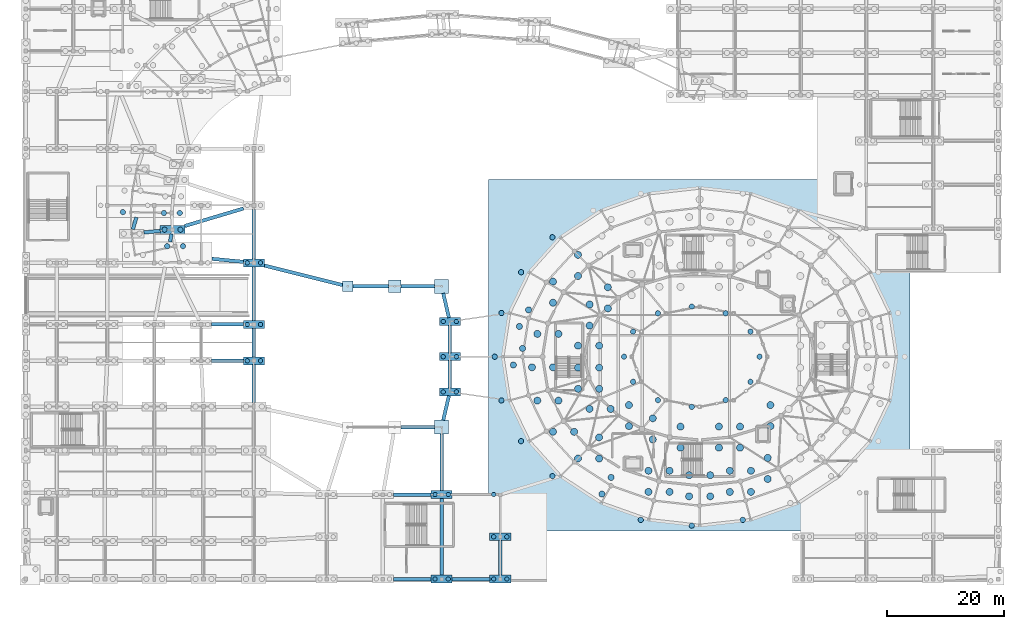
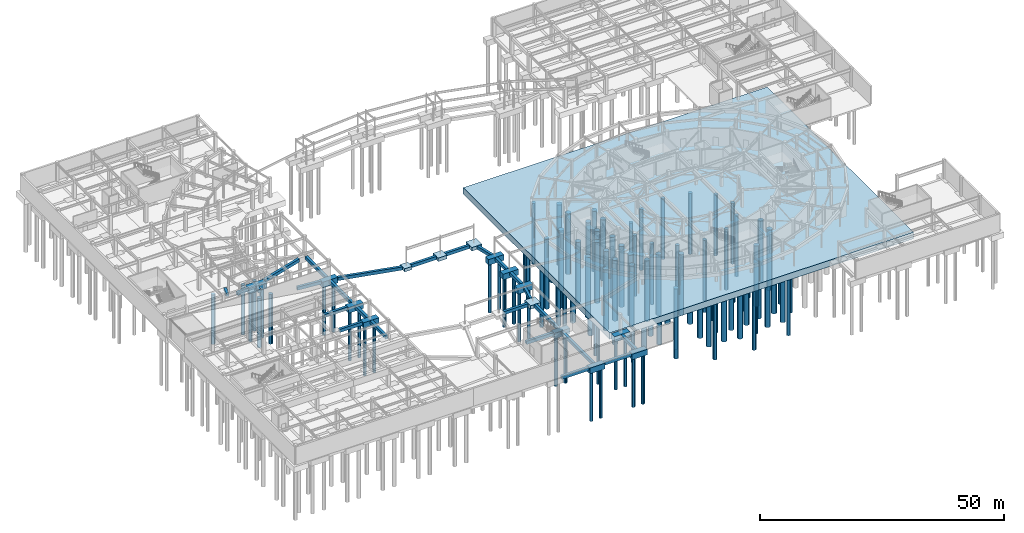
# One storey, part 3 of 68: 109 piles, 41 footings.
"""IFC4 building model written with IfcOpenShell, lengths in metres."""

from ifc_helpers import new_model, si_unit, direction, frame, origin, origin_2d, place, context, subcontext, project, spatial, rectangle, circle, extrude, material, layer, layer_set, material_profile, profile_set, type_object, element, save


model = new_model("IFC4")

# Units and contexts
model_context = context("Model", 3, precision=1e-05, world=origin(), true_north=direction((0.0, 1.0)))
body_context = subcontext(model_context, "Body", "Model", "MODEL_VIEW")
ifc_project = project(units=[si_unit("LENGTHUNIT", "METRE"), si_unit("AREAUNIT", "SQUARE_METRE"), si_unit("VOLUMEUNIT", "CUBIC_METRE"), si_unit("PLANEANGLEUNIT", "RADIAN"), si_unit("MASSUNIT", "GRAM", prefix="KILO")], contexts=[model_context])

# Site, building, storey
site_placement = place(None, origin())
site = spatial("IfcSite", under=ifc_project, at=site_placement, CompositionType="ELEMENT")
building_placement = place(site_placement, origin())
building = spatial("IfcBuilding", under=site, at=building_placement, Name="Cinderbank Siding Concert Hall", CompositionType="ELEMENT")
storey_placement = place(building_placement, frame((0.0, 0.0, -4.800048828125)))
storey = spatial("IfcBuildingStorey", under=building, at=storey_placement, Name="B1", CompositionType="ELEMENT", Elevation=-4.800048828125)

# Piles
ifc_material = material(Name="Reinforced concrete AS 3600 N40 (40 MPa)", Category="concrete")
ifc_material_profile_1 = material_profile(ifc_material, circle(Radius=0.52490234375, at=origin_2d()), Name="PILE-1050DIA", Category="LoadBearing")
ifc_profile_set_1 = profile_set([ifc_material_profile_1], Name="Reinforced concrete AS 3600 N40 (40 MPa)")
pile_type_1 = type_object("IfcPileType", Name="BP-1050 Bored Pile 1050mm", PredefinedType="BORED", material=ifc_profile_set_1)
for number, where, z_axis, x_axis, name in (
    (1, (91.25390625, 49.156982421875, -1.5), (0.0, 0.0, -1.0), (1.0, 0.0, 0.0), "Bored Pile BP-1050 #96"),
    (2, (92.8291015625, 51.990966796875, -1.5), (0.0, 0.0, -1.0), (1.0, 0.0, 0.0), "Bored Pile BP-1050 #97"),
    (3, (90.22509765625, 42.5830078125, -1.5), (0.0, 0.0, -1.0), (1.0, 0.0, 0.0), "Bored Pile BP-1050 #101"),
    (4, (91.800048828125, 45.4169921875, -1.5), (0.0, 0.0, -1.0), (1.0, 0.0, 0.0), "Bored Pile BP-1050 #102"),
    (5, (105.324951171875, 20.5849609375, -1.5), (0.0, 0.0, -1.0), (1.0, 0.0, 0.0), "Bored Pile BP-1050 #124"),
    (6, (106.89990234375, 23.4208984375, -1.5), (0.0, 0.0, -1.0), (1.0, 0.0, 0.0), "Bored Pile BP-1050 #125"),
):
    element("IfcPile", number, at=place(storey_placement, frame(where, z_axis=z_axis, x_axis=x_axis)), inside=storey, type_object=pile_type_1, Name=name, PredefinedType="BORED", context=body_context, shape_type="SweptSolid", body=[
        extrude(circle(Radius=0.52490234375, at=origin_2d()), origin(), (0.0, 0.0, 1.0), 15.199951171875),
    ])
ifc_material_profile_2 = material_profile(ifc_material, circle(Radius=0.60009765625, at=origin_2d()), Name="PILE-1200DIA", Category="LoadBearing")
ifc_profile_set_2 = profile_set([ifc_material_profile_2], Name="Reinforced concrete AS 3600 N40 (40 MPa)")
pile_type_2 = type_object("IfcPileType", Name="BP-1200 Bored Pile 1200mm", PredefinedType="BORED", material=ifc_profile_set_2)
for number, where, z_axis, x_axis, name in (
    (7, (134.05908203125, 32.158935546875, -1.5), (0.0, 0.0, -1.0), (1.0, 0.0, 0.0), "Bored Pile BP-1200 #34"),
    (8, (134.05908203125, 35.759033203125, -1.5), (0.0, 0.0, -1.0), (1.0, 0.0, 0.0), "Bored Pile BP-1200 #35"),
    (9, (133.60009765625, 23.14697265625, -1.5), (0.0, 0.0, -1.0), (1.0, 0.0, 0.0), "Bored Pile BP-1200 #40"),
    (10, (133.60009765625, 26.7470703125, -1.5), (0.0, 0.0, -1.0), (1.0, 0.0, 0.0), "Bored Pile BP-1200 #42"),
    (11, (106.341064453125, 52.240966796875, -1.5), (0.0, 0.0, -1.0), (1.0, 0.0, 0.0), "Bored Pile BP-1200 #81"),
    (12, (106.341064453125, 55.841064453125, -1.5), (0.0, 0.0, -1.0), (1.0, 0.0, 0.0), "Bored Pile BP-1200 #82"),
    (13, (101.2490234375, 57.756103515625, -1.5), (0.0, 0.0, -1.0), (1.0, 0.0, 0.0), "Bored Pile BP-1200 #83"),
    (14, (101.2490234375, 61.35595703125, -1.5), (0.0, 0.0, -1.0), (1.0, 0.0, 0.0), "Bored Pile BP-1200 #84"),
    (15, (103.22607421875, 49.300048828125, -1.5), (0.0, 0.0, -1.0), (1.0, 0.0, 0.0), "Bored Pile BP-1200 #87"),
    (16, (103.22607421875, 52.89990234375, -1.5), (0.0, 0.0, -1.0), (1.0, 0.0, 0.0), "Bored Pile BP-1200 #88"),
    (17, (96.989990234375, 53.199951171875, -1.5), (0.0, 0.0, -1.0), (1.0, 0.0, 0.0), "Bored Pile BP-1200 #89"),
    (18, (96.989990234375, 56.800048828125, -1.5), (0.0, 0.0, -1.0), (1.0, 0.0, 0.0), "Bored Pile BP-1200 #90"),
    (19, (101.26806640625, 45.875, -1.5), (0.0, 0.0, -1.0), (1.0, 0.0, 0.0), "Bored Pile BP-1200 #92"),
    (20, (104.867919921875, 45.875, -1.5), (0.0, 0.0, -1.0), (1.0, 0.0, 0.0), "Bored Pile BP-1200 #93"),
    (21, (94.31298828125, 47.89404296875, -1.5), (0.0, 0.0, -1.0), (1.0, 0.0, 0.0), "Bored Pile BP-1200 #94"),
    (22, (97.9130859375, 47.89404296875, -1.5), (0.0, 0.0, -1.0), (1.0, 0.0, 0.0), "Bored Pile BP-1200 #95"),
    (23, (93.39990234375, 42.199951171875, -1.5), (0.0, 0.0, -1.0), (1.0, 0.0, 0.0), "Bored Pile BP-1200 #99"),
    (24, (97.0, 42.199951171875, -1.5), (0.0, 0.0, -1.0), (1.0, 0.0, 0.0), "Bored Pile BP-1200 #100"),
    (25, (101.26806640625, 38.52490234375, -1.5), (0.0, 0.0, -1.0), (1.0, 0.0, 0.0), "Bored Pile BP-1200 #104"),
    (26, (104.867919921875, 38.52490234375, -1.5), (0.0, 0.0, -1.0), (1.0, 0.0, 0.0), "Bored Pile BP-1200 #105"),
    (27, (101.26806640625, 42.125, -1.5), (0.0, 0.0, -1.0), (1.0, 0.0, 0.0), "Bored Pile BP-1200 #106"),
    (28, (104.867919921875, 42.125, -1.5), (0.0, 0.0, -1.0), (1.0, 0.0, 0.0), "Bored Pile BP-1200 #107"),
    (29, (94.31298828125, 36.506103515625, -1.5), (0.0, 0.0, -1.0), (1.0, 0.0, 0.0), "Bored Pile BP-1200 #108"),
    (30, (97.9130859375, 36.506103515625, -1.5), (0.0, 0.0, -1.0), (1.0, 0.0, 0.0), "Bored Pile BP-1200 #109"),
    (31, (103.22607421875, 35.10009765625, -1.5), (0.0, 0.0, -1.0), (1.0, 0.0, 0.0), "Bored Pile BP-1200 #111"),
    (32, (106.825927734375, 35.10009765625, -1.5), (0.0, 0.0, -1.0), (1.0, 0.0, 0.0), "Bored Pile BP-1200 #112"),
    (33, (96.989990234375, 31.199951171875, -1.5), (0.0, 0.0, -1.0), (1.0, 0.0, 0.0), "Bored Pile BP-1200 #113"),
    (34, (100.590087890625, 31.199951171875, -1.5), (0.0, 0.0, -1.0), (1.0, 0.0, 0.0), "Bored Pile BP-1200 #114"),
    (35, (109.94091796875, 32.158935546875, -1.5), (0.0, 0.0, -1.0), (1.0, 0.0, 0.0), "Bored Pile BP-1200 #116"),
    (36, (109.94091796875, 35.759033203125, -1.5), (0.0, 0.0, -1.0), (1.0, 0.0, 0.0), "Bored Pile BP-1200 #117"),
    (37, (101.2490234375, 26.64404296875, -1.5), (0.0, 0.0, -1.0), (1.0, 0.0, 0.0), "Bored Pile BP-1200 #118"),
    (38, (104.84912109375, 26.64404296875, -1.5), (0.0, 0.0, -1.0), (1.0, 0.0, 0.0), "Bored Pile BP-1200 #119"),
    (39, (104.84912109375, 30.243896484375, -1.5), (0.0, 0.0, -1.0), (1.0, 0.0, 0.0), "Bored Pile BP-1200 #120"),
    (40, (114.0, 29.902099609375, -1.5), (0.0, 0.0, -1.0), (1.0, 0.0, 0.0), "Bored Pile BP-1200 #122"),
    (41, (114.0, 33.501953125, -1.5), (0.0, 0.0, -1.0), (1.0, 0.0, 0.0), "Bored Pile BP-1200 #123"),
    (42, (118.72705078125, 28.48388671875, -1.5), (0.0, 0.0, -1.0), (1.0, 0.0, 0.0), "Bored Pile BP-1200 #126"),
    (43, (118.72705078125, 32.083984375, -1.5), (0.0, 0.0, -1.0), (1.0, 0.0, 0.0), "Bored Pile BP-1200 #127"),
    (44, (113.263916015625, 20.949951171875, -1.5), (0.0, 0.0, -1.0), (1.0, 0.0, 0.0), "Bored Pile BP-1200 #128"),
    (45, (116.864013671875, 20.949951171875, -1.5), (0.0, 0.0, -1.0), (1.0, 0.0, 0.0), "Bored Pile BP-1200 #129"),
    (46, (113.263916015625, 24.550048828125, -1.5), (0.0, 0.0, -1.0), (1.0, 0.0, 0.0), "Bored Pile BP-1200 #130"),
    (47, (116.864013671875, 24.550048828125, -1.5), (0.0, 0.0, -1.0), (1.0, 0.0, 0.0), "Bored Pile BP-1200 #131"),
    (48, (120.199951171875, 20.199951171875, -1.5), (0.0, 0.0, -1.0), (1.0, 0.0, 0.0), "Bored Pile BP-1200 #133"),
    (49, (123.800048828125, 20.199951171875, -1.5), (0.0, 0.0, -1.0), (1.0, 0.0, 0.0), "Bored Pile BP-1200 #134"),
    (50, (120.199951171875, 23.800048828125, -1.5), (0.0, 0.0, -1.0), (1.0, 0.0, 0.0), "Bored Pile BP-1200 #135"),
    (51, (123.800048828125, 23.800048828125, -1.5), (0.0, 0.0, -1.0), (1.0, 0.0, 0.0), "Bored Pile BP-1200 #136"),
    (52, (125.27294921875, 28.48388671875, -1.5), (0.0, 0.0, -1.0), (1.0, 0.0, 0.0), "Bored Pile BP-1200 #138"),
    (53, (128.873046875, 28.48388671875, -1.5), (0.0, 0.0, -1.0), (1.0, 0.0, 0.0), "Bored Pile BP-1200 #139"),
    (54, (125.27294921875, 32.083984375, -1.5), (0.0, 0.0, -1.0), (1.0, 0.0, 0.0), "Bored Pile BP-1200 #140"),
    (55, (128.873046875, 32.083984375, -1.5), (0.0, 0.0, -1.0), (1.0, 0.0, 0.0), "Bored Pile BP-1200 #141"),
    (56, (127.135986328125, 20.949951171875, -1.5), (0.0, 0.0, -1.0), (1.0, 0.0, 0.0), "Bored Pile BP-1200 #142"),
    (57, (130.736083984375, 20.949951171875, -1.5), (0.0, 0.0, -1.0), (1.0, 0.0, 0.0), "Bored Pile BP-1200 #143"),
    (58, (127.135986328125, 24.550048828125, -1.5), (0.0, 0.0, -1.0), (1.0, 0.0, 0.0), "Bored Pile BP-1200 #144"),
    (59, (130.736083984375, 24.550048828125, -1.5), (0.0, 0.0, -1.0), (1.0, 0.0, 0.0), "Bored Pile BP-1200 #145"),
):
    element("IfcPile", number, at=place(storey_placement, frame(where, z_axis=z_axis, x_axis=x_axis)), inside=storey, type_object=pile_type_2, Name=name, PredefinedType="BORED", context=body_context, shape_type="SweptSolid", body=[
        extrude(circle(Radius=0.60009765625, at=origin_2d()), origin(), (0.0, 0.0, 1.0), 15.199951171875),
    ])
ifc_material_profile_3 = material_profile(ifc_material, circle(Radius=0.375, at=origin_2d()), Name="PILE-750DIA", Category="LoadBearing")
ifc_profile_set_3 = profile_set([ifc_material_profile_3], Name="Reinforced concrete AS 3600 N40 (40 MPa)")
pile_type_3 = type_object("IfcPileType", Name="BP-750 Bored Pile 750mm", PredefinedType="BORED", material=ifc_profile_set_3)
pile_placement = place(storey_placement, frame((86.875, 20.5, -1.5), z_axis=(0.0, 0.0, -1.0), x_axis=(1.0, 0.0, 0.0)))
element("IfcPile", 60, at=pile_placement, inside=storey, type_object=pile_type_3, Name="Bored Pile BP-750 #147", PredefinedType="BORED", context=body_context, shape_type="SweptSolid", body=[
    extrude(circle(Radius=0.375, at=origin_2d()), origin(), (0.0, 0.0, 1.0), 15.199951171875),
])
for number, where, z_axis, x_axis, name in (
    (61, (76.875, 6.10009765625, -1.300048828125), (0.0, 0.0, -1.0), (1.0, 0.0, 0.0), "Bored Pile BP-750 #409"),
    (62, (79.125, 6.10009765625, -1.300048828125), (0.0, 0.0, -1.0), (1.0, 0.0, 0.0), "Bored Pile BP-750 #410"),
    (63, (76.875, 20.5, -1.300048828125), (0.0, 0.0, -1.0), (1.0, 0.0, 0.0), "Bored Pile BP-750 #411"),
    (64, (79.125, 20.5, -1.300048828125), (0.0, 0.0, -1.0), (1.0, 0.0, 0.0), "Bored Pile BP-750 #412"),
    (65, (86.875, 6.10009765625, -1.300048828125), (0.0, 0.0, -1.0), (1.0, 0.0, 0.0), "Bored Pile BP-750 #413"),
    (66, (89.125, 6.10009765625, -1.300048828125), (0.0, 0.0, -1.0), (1.0, 0.0, 0.0), "Bored Pile BP-750 #414"),
    (67, (86.875, 13.300048828125, -1.300048828125), (0.0, 0.0, -1.0), (1.0, 0.0, 0.0), "Bored Pile BP-750 #415"),
    (68, (89.125, 13.300048828125, -1.300048828125), (0.0, 0.0, -1.0), (1.0, 0.0, 0.0), "Bored Pile BP-750 #416"),
    (69, (44.875, 43.300048828125, -1.300048828125), (0.0, 0.0, -1.0), (1.0, 0.0, 0.0), "Bored Pile BP-750 #469"),
    (70, (47.125, 43.300048828125, -1.300048828125), (0.0, 0.0, -1.0), (1.0, 0.0, 0.0), "Bored Pile BP-750 #470"),
    (71, (44.875, 49.5, -1.300048828125), (0.0, 0.0, -1.0), (1.0, 0.0, 0.0), "Bored Pile BP-750 #471"),
    (72, (47.125, 49.5, -1.300048828125), (0.0, 0.0, -1.0), (1.0, 0.0, 0.0), "Bored Pile BP-750 #472"),
    (73, (44.875, 60.0, -1.300048828125), (0.0, 0.0, -1.0), (1.0, 0.0, 0.0), "Bored Pile BP-750 #473"),
    (74, (47.125, 60.0, -1.300048828125), (0.0, 0.0, -1.0), (1.0, 0.0, 0.0), "Bored Pile BP-750 #474"),
    (75, (78.27490234375, 38.0, -1.300048828125), (0.0, 0.0, -1.0), (1.0, 0.0, 0.0), "Bored Pile BP-750 #479"),
    (76, (80.52490234375, 38.0, -1.300048828125), (0.0, 0.0, -1.0), (1.0, 0.0, 0.0), "Bored Pile BP-750 #480"),
    (77, (78.27490234375, 44.0, -1.300048828125), (0.0, 0.0, -1.0), (1.0, 0.0, 0.0), "Bored Pile BP-750 #481"),
    (78, (80.52490234375, 44.0, -1.300048828125), (0.0, 0.0, -1.0), (1.0, 0.0, 0.0), "Bored Pile BP-750 #482"),
    (79, (78.27490234375, 50.0, -1.300048828125), (0.0, 0.0, -1.0), (1.0, 0.0, 0.0), "Bored Pile BP-750 #483"),
    (80, (80.52490234375, 50.0, -1.300048828125), (0.0, 0.0, -1.0), (1.0, 0.0, 0.0), "Bored Pile BP-750 #484"),
):
    element("IfcPile", number, at=place(storey_placement, frame(where, z_axis=z_axis, x_axis=x_axis)), inside=storey, type_object=pile_type_3, Name=name, PredefinedType="BORED", context=body_context, shape_type="SweptSolid", body=[
        extrude(circle(Radius=0.375, at=origin_2d()), origin(), (0.0, 0.0, 1.0), 12.39990234375),
    ])
ifc_material_profile_4 = material_profile(ifc_material, circle(Radius=0.449951171875, at=origin_2d()), Name="PILE-900DIA", Category="LoadBearing")
ifc_profile_set_4 = profile_set([ifc_material_profile_4], Name="Reinforced concrete AS 3600 N40 (40 MPa)")
pile_type_4 = type_object("IfcPileType", Name="BP-900 Bored Pile 900mm", PredefinedType="BORED", material=ifc_profile_set_4)
for number, where, z_axis, x_axis, name in (
    (81, (132.199951171875, 44.0, -1.5), (0.0, 0.0, -1.0), (1.0, 0.0, 0.0), "Bored Pile BP-900 #52"),
    (82, (96.89111328125, 64.364990234375, -1.5), (0.0, 0.0, -1.0), (1.0, 0.0, 0.0), "Bored Pile BP-900 #86"),
    (83, (91.551025390625, 58.39990234375, -1.5), (0.0, 0.0, -1.0), (1.0, 0.0, 0.0), "Bored Pile BP-900 #91"),
    (84, (88.195068359375, 51.4541015625, -1.5), (0.0, 0.0, -1.0), (1.0, 0.0, 0.0), "Bored Pile BP-900 #98"),
    (85, (87.050048828125, 44.0, -1.5), (0.0, 0.0, -1.0), (1.0, 0.0, 0.0), "Bored Pile BP-900 #103"),
    (86, (88.195068359375, 36.5458984375, -1.5), (0.0, 0.0, -1.0), (1.0, 0.0, 0.0), "Bored Pile BP-900 #110"),
    (87, (91.551025390625, 29.60009765625, -1.5), (0.0, 0.0, -1.0), (1.0, 0.0, 0.0), "Bored Pile BP-900 #115"),
    (88, (96.89111328125, 23.635009765625, -1.5), (0.0, 0.0, -1.0), (1.0, 0.0, 0.0), "Bored Pile BP-900 #121"),
    (89, (111.9541015625, 16.180908203125, -1.5), (0.0, 0.0, -1.0), (1.0, 0.0, 0.0), "Bored Pile BP-900 #132"),
    (90, (120.64990234375, 15.199951171875, -1.5), (0.0, 0.0, -1.0), (1.0, 0.0, 0.0), "Bored Pile BP-900 #137"),
    (91, (129.345947265625, 16.180908203125, -1.5), (0.0, 0.0, -1.0), (1.0, 0.0, 0.0), "Bored Pile BP-900 #146"),
    (92, (130.653076171875, 48.27490234375, -1.5), (0.0, 0.0, -1.0), (1.0, 0.0, 0.0), "Bored Pile BP-900 #149"),
    (93, (126.425048828125, 51.404052734375, -1.5), (0.0, 0.0, -1.0), (1.0, 0.0, 0.0), "Bored Pile BP-900 #150"),
    (94, (120.64990234375, 52.550048828125, -1.5), (0.0, 0.0, -1.0), (1.0, 0.0, 0.0), "Bored Pile BP-900 #151"),
    (95, (114.875, 51.404052734375, -1.5), (0.0, 0.0, -1.0), (1.0, 0.0, 0.0), "Bored Pile BP-900 #152"),
    (96, (110.64697265625, 48.27490234375, -1.5), (0.0, 0.0, -1.0), (1.0, 0.0, 0.0), "Bored Pile BP-900 #153"),
    (97, (109.10009765625, 44.0, -1.5), (0.0, 0.0, -1.0), (1.0, 0.0, 0.0), "Bored Pile BP-900 #154"),
    (98, (110.64697265625, 39.72509765625, -1.5), (0.0, 0.0, -1.0), (1.0, 0.0, 0.0), "Bored Pile BP-900 #155"),
    (99, (114.875, 36.595947265625, -1.5), (0.0, 0.0, -1.0), (1.0, 0.0, 0.0), "Bored Pile BP-900 #156"),
    (100, (120.64990234375, 35.449951171875, -1.5), (0.0, 0.0, -1.0), (1.0, 0.0, 0.0), "Bored Pile BP-900 #157"),
    (101, (126.425048828125, 36.595947265625, -1.5), (0.0, 0.0, -1.0), (1.0, 0.0, 0.0), "Bored Pile BP-900 #158"),
    (102, (130.653076171875, 39.72509765625, -1.5), (0.0, 0.0, -1.0), (1.0, 0.0, 0.0), "Bored Pile BP-900 #159"),
):
    element("IfcPile", number, at=place(storey_placement, frame(where, z_axis=z_axis, x_axis=x_axis)), inside=storey, type_object=pile_type_4, Name=name, PredefinedType="BORED", context=body_context, shape_type="SweptSolid", body=[
        extrude(circle(Radius=0.449951171875, at=origin_2d()), origin(), (0.0, 0.0, 1.0), 15.199951171875),
    ])
for number, where, z_axis, x_axis, name in (
    (103, (30.655029296875, 68.5029296875, -1.300048828125), (0.0, 0.0, -1.0), (1.0, 0.0, 0.0), "Bored Pile BP-900 #207"),
    (104, (33.35498046875, 68.5029296875, -1.300048828125), (0.0, 0.0, -1.0), (1.0, 0.0, 0.0), "Bored Pile BP-900 #208"),
    (105, (23.656982421875, 68.64892578125, -1.300048828125), (0.0, 0.0, -1.0), (1.0, 0.0, 0.0), "Bored Pile BP-900 #209"),
    (106, (30.763916015625, 65.657958984375, -1.300048828125), (0.0, 0.0, -1.0), (1.0, 0.0, 0.0), "Bored Pile BP-900 #211"),
    (107, (33.464111328125, 65.657958984375, -1.300048828125), (0.0, 0.0, -1.0), (1.0, 0.0, 0.0), "Bored Pile BP-900 #212"),
    (108, (31.2099609375, 62.845947265625, -1.300048828125), (0.0, 0.0, -1.0), (1.0, 0.0, 0.0), "Bored Pile BP-900 #215"),
    (109, (33.909912109375, 62.845947265625, -1.300048828125), (0.0, 0.0, -1.0), (1.0, 0.0, 0.0), "Bored Pile BP-900 #216"),
):
    element("IfcPile", number, at=place(storey_placement, frame(where, z_axis=z_axis, x_axis=x_axis)), inside=storey, type_object=pile_type_4, Name=name, PredefinedType="BORED", context=body_context, shape_type="SweptSolid", body=[
        extrude(circle(Radius=0.449951171875, at=origin_2d()), origin(), (0.0, 0.0, 1.0), 12.39990234375),
    ])

# Footings
ifc_material_profile_5 = material_profile(ifc_material, rectangle(XDim=0.60009765625, YDim=0.800048828125, at=origin_2d()), Name="RC-FB-600x800", Category="LoadBearing")
ifc_profile_set_5 = profile_set([ifc_material_profile_5], Name="Reinforced concrete AS 3600 N40 (40 MPa)")
footing_type_1 = type_object("IfcFootingType", Name="FB-01 Tie Beam 600x800", PredefinedType="FOOTING_BEAM", material=ifc_profile_set_5)
footing_1_placement = place(storey_placement, frame((34.19970703125, 66.280029296875, -0.39990234375), z_axis=(0.958275187865, 0.285847274469, 0.0), x_axis=(-0.285847274469, 0.958275187865, 0.0)))
element("IfcFooting", 110, at=footing_1_placement, inside=storey, type_object=footing_type_1, Name="Foundation Tie Beam #14", PredefinedType="FOOTING_BEAM", context=body_context, shape_type="SweptSolid", body=[
    extrude(rectangle(XDim=0.60009765625, YDim=0.800048828125, at=origin_2d()), origin(), (0.0, 0.0, 1.0), 10.45068359375),
])
footing_2_placement = place(storey_placement, frame((27.233154296875, 65.179443359375, -0.39990234375), z_axis=(0.995225545962, 0.097601806665, 0.0), x_axis=(-0.097601806665, 0.995225545962, 0.0)))
element("IfcFooting", 111, at=footing_2_placement, inside=storey, type_object=footing_type_1, Name="Foundation Tie Beam #15", PredefinedType="FOOTING_BEAM", context=body_context, shape_type="SweptSolid", body=[
    extrude(rectangle(XDim=0.60009765625, YDim=0.800048828125, at=origin_2d()), origin(), (0.0, 0.0, 1.0), 2.80908203125),
])
footing_3_placement = place(storey_placement, frame((25.362060546875, 65.710693359375, -0.39990234375), z_axis=(0.279474746175, 0.96015304314, 0.0), x_axis=(-0.96015304314, 0.279474746175, 0.0)))
element("IfcFooting", 112, at=footing_3_placement, inside=storey, type_object=footing_type_1, Name="Foundation Tie Beam #16", PredefinedType="FOOTING_BEAM", context=body_context, shape_type="SweptSolid", body=[
    extrude(rectangle(XDim=0.60009765625, YDim=0.800048828125, at=origin_2d()), origin(), (0.0, 0.0, 1.0), 2.14208984375),
])
footing_4_placement = place(storey_placement, frame((38.860107421875, 60.688720703125, -0.39990234375), z_axis=(0.995378462851, -0.096029764619, 0.0), x_axis=(0.096029764619, 0.995378462851, 0.0)))
element("IfcFooting", 113, at=footing_4_placement, inside=storey, type_object=footing_type_1, Name="Foundation Tie Beam #17", PredefinedType="FOOTING_BEAM", context=body_context, shape_type="SweptSolid", body=[
    extrude(rectangle(XDim=0.60009765625, YDim=0.800048828125, at=origin_2d()), origin(), (0.0, 0.0, 1.0), 5.379638671875),
])
footing_5_placement = place(storey_placement, frame((31.689697265625, 63.581298828125, -0.39990234375), z_axis=(0.200263968159, 0.979741977797, 0.0), x_axis=(-0.979741977797, 0.200263968159, 0.0)))
element("IfcFooting", 114, at=footing_5_placement, inside=storey, type_object=footing_type_1, Name="Foundation Tie Beam #18", PredefinedType="FOOTING_BEAM", context=body_context, shape_type="SweptSolid", body=[
    extrude(rectangle(XDim=0.60009765625, YDim=0.800048828125, at=origin_2d()), origin(), (0.0, 0.0, 1.0), 1.369140625),
])
footing_6_placement = place(storey_placement, frame((46.0, 36.235107421875, -0.39990234375), z_axis=(0.0, 1.0, 0.0), x_axis=(-1.0, 0.0, 0.0)))
element("IfcFooting", 115, at=footing_6_placement, inside=storey, type_object=footing_type_1, Name="Foundation Tie Beam #77", PredefinedType="FOOTING_BEAM", context=body_context, shape_type="SweptSolid", body=[
    extrude(rectangle(XDim=0.60009765625, YDim=0.800048828125, at=origin_2d()), origin(), (0.0, 0.0, 1.0), 6.40478515625),
])
for number, where, z_axis, x_axis, name in (
    (116, (69.784912109375, 6.10009765625, -0.39990234375), (1.0, 0.0, 0.0), (0.0, 1.0, 0.0), "Foundation Tie Beam #171"),
    (117, (69.784912109375, 20.5, -0.39990234375), (1.0, 0.0, 0.0), (0.0, 1.0, 0.0), "Foundation Tie Beam #173"),
    (118, (79.784912109375, 6.10009765625, -0.39990234375), (1.0, 0.0, 0.0), (0.0, 1.0, 0.0), "Foundation Tie Beam #175"),
):
    element("IfcFooting", number, at=place(storey_placement, frame(where, z_axis=z_axis, x_axis=x_axis)), inside=storey, type_object=footing_type_1, Name=name, PredefinedType="FOOTING_BEAM", context=body_context, shape_type="SweptSolid", body=[
        extrude(rectangle(XDim=0.60009765625, YDim=0.800048828125, at=origin_2d()), origin(), (0.0, 0.0, 1.0), 6.43017578125),
    ])
footing_7_placement = place(storey_placement, frame((78.0, 6.760009765625, -0.39990234375), z_axis=(0.0, 1.0, 0.0), x_axis=(-1.0, 0.0, 0.0)))
element("IfcFooting", 119, at=footing_7_placement, inside=storey, type_object=footing_type_1, Name="Foundation Tie Beam #176", PredefinedType="FOOTING_BEAM", context=body_context, shape_type="SweptSolid", body=[
    extrude(rectangle(XDim=0.60009765625, YDim=0.800048828125, at=origin_2d()), origin(), (0.0, 0.0, 1.0), 13.080078125),
])
footing_8_placement = place(storey_placement, frame((78.0, 21.159912109375, -0.39990234375), z_axis=(0.0, 1.0, 0.0), x_axis=(-1.0, 0.0, 0.0)))
element("IfcFooting", 120, at=footing_8_placement, inside=storey, type_object=footing_type_1, Name="Foundation Tie Beam #177", PredefinedType="FOOTING_BEAM", context=body_context, shape_type="SweptSolid", body=[
    extrude(rectangle(XDim=0.60009765625, YDim=0.800048828125, at=origin_2d()), origin(), (0.0, 0.0, 1.0), 9.655029296875),
])
footing_9_placement = place(storey_placement, frame((88.0, 6.760009765625, -0.39990234375), z_axis=(0.0, 1.0, 0.0), x_axis=(-1.0, 0.0, 0.0)))
element("IfcFooting", 121, at=footing_9_placement, inside=storey, type_object=footing_type_1, Name="Foundation Tie Beam #178", PredefinedType="FOOTING_BEAM", context=body_context, shape_type="SweptSolid", body=[
    extrude(rectangle(XDim=0.60009765625, YDim=0.800048828125, at=origin_2d()), origin(), (0.0, 0.0, 1.0), 5.8798828125),
])
for number, where, z_axis, x_axis, name in (
    (122, (38.784912109375, 43.300048828125, -0.39990234375), (1.0, 0.0, 0.0), (0.0, 1.0, 0.0), "Foundation Tie Beam #218"),
    (123, (38.784912109375, 49.5, -0.39990234375), (1.0, 0.0, 0.0), (0.0, 1.0, 0.0), "Foundation Tie Beam #220"),
):
    element("IfcFooting", number, at=place(storey_placement, frame(where, z_axis=z_axis, x_axis=x_axis)), inside=storey, type_object=footing_type_1, Name=name, PredefinedType="FOOTING_BEAM", context=body_context, shape_type="SweptSolid", body=[
        extrude(rectangle(XDim=0.60009765625, YDim=0.800048828125, at=origin_2d()), origin(), (0.0, 0.0, 1.0), 5.43017578125),
    ])
footing_10_placement = place(storey_placement, frame((46.0, 43.9599609375, -0.39990234375), z_axis=(0.0, 1.0, 0.0), x_axis=(-1.0, 0.0, 0.0)))
element("IfcFooting", 124, at=footing_10_placement, inside=storey, type_object=footing_type_1, Name="Foundation Tie Beam #222", PredefinedType="FOOTING_BEAM", context=body_context, shape_type="SweptSolid", body=[
    extrude(rectangle(XDim=0.60009765625, YDim=0.800048828125, at=origin_2d()), origin(), (0.0, 0.0, 1.0), 4.880126953125),
])
footing_11_placement = place(storey_placement, frame((46.0, 50.159912109375, -0.39990234375), z_axis=(0.0, 1.0, 0.0), x_axis=(-1.0, 0.0, 0.0)))
element("IfcFooting", 125, at=footing_11_placement, inside=storey, type_object=footing_type_1, Name="Foundation Tie Beam #223", PredefinedType="FOOTING_BEAM", context=body_context, shape_type="SweptSolid", body=[
    extrude(rectangle(XDim=0.60009765625, YDim=0.800048828125, at=origin_2d()), origin(), (0.0, 0.0, 1.0), 9.18017578125),
])
footing_12_placement = place(storey_placement, frame((47.785400390625, 59.5537109375, -0.39990234375), z_axis=(0.970142500145, -0.242535625036, 0.0), x_axis=(0.242535625036, 0.970142500145, 0.0)))
element("IfcFooting", 126, at=footing_12_placement, inside=storey, type_object=footing_type_1, Name="Foundation Tie Beam #224", PredefinedType="FOOTING_BEAM", context=body_context, shape_type="SweptSolid", body=[
    extrude(rectangle(XDim=0.60009765625, YDim=0.800048828125, at=origin_2d()), origin(), (0.0, 0.0, 1.0), 13.7392578125),
])
footing_13_placement = place(storey_placement, frame((46.0, 60.659912109375, -0.39990234375), z_axis=(0.0, 1.0, 0.0), x_axis=(-1.0, 0.0, 0.0)))
element("IfcFooting", 127, at=footing_13_placement, inside=storey, type_object=footing_type_1, Name="Foundation Tie Beam #225", PredefinedType="FOOTING_BEAM", context=body_context, shape_type="SweptSolid", body=[
    extrude(rectangle(XDim=0.60009765625, YDim=0.800048828125, at=origin_2d()), origin(), (0.0, 0.0, 1.0), 8.47998046875),
])
for number, where, z_axis, x_axis, name in (
    (128, (79.39990234375, 38.659912109375, -0.39990234375), (0.0, 1.0, 0.0), (-1.0, 0.0, 0.0), "Foundation Tie Beam #228"),
    (129, (79.39990234375, 44.659912109375, -0.39990234375), (0.0, 1.0, 0.0), (-1.0, 0.0, 0.0), "Foundation Tie Beam #229"),
):
    element("IfcFooting", number, at=place(storey_placement, frame(where, z_axis=z_axis, x_axis=x_axis)), inside=storey, type_object=footing_type_1, Name=name, PredefinedType="FOOTING_BEAM", context=body_context, shape_type="SweptSolid", body=[
        extrude(rectangle(XDim=0.60009765625, YDim=0.800048828125, at=origin_2d()), origin(), (0.0, 0.0, 1.0), 4.68017578125),
    ])
footing_14_placement = place(storey_placement, frame((79.245849609375, 50.660400390625, -0.39990234375), z_axis=(-0.22720790508, 0.973846275276, 0.0), x_axis=(-0.973846275276, -0.22720790508, 0.0)))
element("IfcFooting", 130, at=footing_14_placement, inside=storey, type_object=footing_type_1, Name="Foundation Tie Beam #230", PredefinedType="FOOTING_BEAM", context=body_context, shape_type="SweptSolid", body=[
    extrude(rectangle(XDim=0.60009765625, YDim=0.800048828125, at=origin_2d()), origin(), (0.0, 0.0, 1.0), 4.265869140625),
])
footing_15_placement = place(storey_placement, frame((71.034912109375, 32.0, -0.39990234375), z_axis=(1.0, 0.0, 0.0), x_axis=(0.0, 1.0, 0.0)))
element("IfcFooting", 131, at=footing_15_placement, inside=storey, type_object=footing_type_1, Name="Foundation Tie Beam #245", PredefinedType="FOOTING_BEAM", context=body_context, shape_type="SweptSolid", body=[
    extrude(rectangle(XDim=0.60009765625, YDim=0.800048828125, at=origin_2d()), origin(), (0.0, 0.0, 1.0), 5.780029296875),
])
footing_16_placement = place(storey_placement, frame((78.276611328125, 33.185302734375, -0.39990234375), z_axis=(0.22720790508, 0.973846275276, 0.0), x_axis=(-0.973846275276, 0.22720790508, 0.0)))
element("IfcFooting", 132, at=footing_16_placement, inside=storey, type_object=footing_type_1, Name="Foundation Tie Beam #246", PredefinedType="FOOTING_BEAM", context=body_context, shape_type="SweptSolid", body=[
    extrude(rectangle(XDim=0.60009765625, YDim=0.800048828125, at=origin_2d()), origin(), (0.0, 0.0, 1.0), 4.265869140625),
])
footing_17_placement = place(storey_placement, frame((62.885009765625, 56.0, -0.39990234375), z_axis=(1.0, 0.0, 0.0), x_axis=(0.0, 1.0, 0.0)))
element("IfcFooting", 133, at=footing_17_placement, inside=storey, type_object=footing_type_1, Name="Foundation Tie Beam #247", PredefinedType="FOOTING_BEAM", context=body_context, shape_type="SweptSolid", body=[
    extrude(rectangle(XDim=0.60009765625, YDim=0.800048828125, at=origin_2d()), origin(), (0.0, 0.0, 1.0), 6.080078125),
])
footing_18_placement = place(storey_placement, frame((71.034912109375, 56.0, -0.39990234375), z_axis=(1.0, 0.0, 0.0), x_axis=(0.0, 1.0, 0.0)))
element("IfcFooting", 134, at=footing_18_placement, inside=storey, type_object=footing_type_1, Name="Foundation Tie Beam #248", PredefinedType="FOOTING_BEAM", context=body_context, shape_type="SweptSolid", body=[
    extrude(rectangle(XDim=0.60009765625, YDim=0.800048828125, at=origin_2d()), origin(), (0.0, 0.0, 1.0), 5.780029296875),
])
ifc_layer_1 = layer(ifc_material, 1.60009765625)
ifc_layer_set_1 = layer_set([ifc_layer_1], Name="Reinforced concrete AS 3600 N40 (40 MPa)")
footing_type_2 = type_object("IfcFootingType", Name="PC-01 Pile Cap 71875x59900x1600", PredefinedType="PILE_CAP", material=ifc_layer_set_1)
footing_19_placement = place(storey_placement, frame((121.91259765625, 44.25, -1.60009765625), z_axis=(0.0, 0.0, 1.0), x_axis=(1.0, 0.0, 0.0)))
element("IfcFooting", 135, at=footing_19_placement, inside=storey, type_object=footing_type_2, Name="Pile Cap PC-01 #1", PredefinedType="PILE_CAP", context=body_context, shape_type="SweptSolid", body=[
    extrude(rectangle(XDim=71.875, YDim=59.89990234375, at=origin_2d()), origin(), (0.0, 0.0, 1.0), 1.60009765625),
])
ifc_layer_2 = layer(ifc_material, 1.39990234375)
ifc_layer_set_2 = layer_set([ifc_layer_2], Name="Reinforced concrete AS 3600 N40 (40 MPa)")
footing_type_3 = type_object("IfcFootingType", Name="PC-05 Pile Cap 4200x1500x1400", PredefinedType="PILE_CAP", material=ifc_layer_set_2)
footing_20_placement = place(storey_placement, frame((32.114013671875, 65.657958984375, -1.39990234375), z_axis=(0.0, 0.0, 1.0), x_axis=(1.0, 0.0, 0.0)))
element("IfcFooting", 136, at=footing_20_placement, inside=storey, type_object=footing_type_3, Name="Pile Cap PC-05 #14", PredefinedType="PILE_CAP", context=body_context, shape_type="SweptSolid", body=[
    extrude(rectangle(XDim=4.199951171875, YDim=1.5, at=origin_2d()), origin(), (0.0, 0.0, 1.0), 1.39990234375),
])
ifc_layer_3 = layer(ifc_material, 1.39990234375)
ifc_layer_set_3 = layer_set([ifc_layer_3], Name="Reinforced concrete AS 3600 N40 (40 MPa)")
footing_type_4 = type_object("IfcFootingType", Name="PC-13 Pile Cap 3600x1350x1400", PredefinedType="PILE_CAP", material=ifc_layer_set_3)
for number, where, z_axis, x_axis, name in (
    (137, (78.0, 6.10009765625, -1.39990234375), (0.0, 0.0, 1.0), (1.0, 0.0, 0.0), "Pile Cap PC-13 #110"),
    (138, (78.0, 20.5, -1.39990234375), (0.0, 0.0, 1.0), (1.0, 0.0, 0.0), "Pile Cap PC-13 #111"),
    (139, (88.0, 6.10009765625, -1.39990234375), (0.0, 0.0, 1.0), (1.0, 0.0, 0.0), "Pile Cap PC-13 #112"),
    (140, (88.0, 13.300048828125, -1.39990234375), (0.0, 0.0, 1.0), (1.0, 0.0, 0.0), "Pile Cap PC-13 #113"),
    (141, (46.0, 43.300048828125, -1.39990234375), (0.0, 0.0, 1.0), (1.0, 0.0, 0.0), "Pile Cap PC-13 #140"),
    (142, (46.0, 49.5, -1.39990234375), (0.0, 0.0, 1.0), (1.0, 0.0, 0.0), "Pile Cap PC-13 #141"),
    (143, (46.0, 60.0, -1.39990234375), (0.0, 0.0, 1.0), (1.0, 0.0, 0.0), "Pile Cap PC-13 #142"),
    (144, (79.39990234375, 38.0, -1.39990234375), (0.0, 0.0, 1.0), (1.0, 0.0, 0.0), "Pile Cap PC-13 #145"),
    (145, (79.39990234375, 44.0, -1.39990234375), (0.0, 0.0, 1.0), (1.0, 0.0, 0.0), "Pile Cap PC-13 #146"),
    (146, (79.39990234375, 50.0, -1.39990234375), (0.0, 0.0, 1.0), (1.0, 0.0, 0.0), "Pile Cap PC-13 #147"),
):
    element("IfcFooting", number, at=place(storey_placement, frame(where, z_axis=z_axis, x_axis=x_axis)), inside=storey, type_object=footing_type_4, Name=name, PredefinedType="PILE_CAP", context=body_context, shape_type="SweptSolid", body=[
        extrude(rectangle(XDim=3.60009765625, YDim=1.35009765625, at=origin_2d()), origin(), (0.0, 0.0, 1.0), 1.39990234375),
    ])
ifc_layer_4 = layer(ifc_material, 0.800048828125)
ifc_layer_set_4 = layer_set([ifc_layer_4], Name="Reinforced concrete AS 3600 N40 (40 MPa)")
footing_type_5 = type_object("IfcFootingType", Name="PF-01 Pad Footing 1800x1800x800", PredefinedType="PAD_FOOTING", material=ifc_layer_set_4)
footing_21_placement = place(storey_placement, frame((62.0, 56.0, -0.7998046875), z_axis=(0.0, 0.0, 1.0), x_axis=(1.0, 0.0, 0.0)))
element("IfcFooting", 147, at=footing_21_placement, inside=storey, type_object=footing_type_5, Name="Pad Footing PF-01 COL-PAD-04", PredefinedType="PAD_FOOTING", context=body_context, shape_type="SweptSolid", body=[
    extrude(rectangle(XDim=1.800048828125, YDim=1.800048828125, at=origin_2d()), origin(), (0.0, 0.0, 1.0), 0.800048828125),
])
ifc_layer_5 = layer(ifc_material, 0.85009765625)
ifc_layer_set_5 = layer_set([ifc_layer_5], Name="Reinforced concrete AS 3600 N40 (40 MPa)")
footing_type_6 = type_object("IfcFootingType", Name="PF-02 Pad Footing 2100x2100x850", PredefinedType="PAD_FOOTING", material=ifc_layer_set_5)
footing_22_placement = place(storey_placement, frame((70.0, 56.0, -0.85009765625), z_axis=(0.0, 0.0, 1.0), x_axis=(1.0, 0.0, 0.0)))
element("IfcFooting", 148, at=footing_22_placement, inside=storey, type_object=footing_type_6, Name="Pad Footing PF-02 COL-PAD-05", PredefinedType="PAD_FOOTING", context=body_context, shape_type="SweptSolid", body=[
    extrude(rectangle(XDim=2.10009765625, YDim=2.10009765625, at=origin_2d()), origin(), (0.0, 0.0, 1.0), 0.85009765625),
])
ifc_layer_6 = layer(ifc_material, 0.89990234375)
ifc_layer_set_6 = layer_set([ifc_layer_6], Name="Reinforced concrete AS 3600 N40 (40 MPa)")
footing_type_7 = type_object("IfcFootingType", Name="PF-03 Pad Footing 2400x2400x900", PredefinedType="PAD_FOOTING", material=ifc_layer_set_6)
for number, where, z_axis, x_axis, name in (
    (149, (78.0, 32.0, -0.89990234375), (0.0, 0.0, 1.0), (1.0, 0.0, 0.0), "Pad Footing PF-03 COL-PAD-03"),
    (150, (78.0, 56.0, -0.89990234375), (0.0, 0.0, 1.0), (1.0, 0.0, 0.0), "Pad Footing PF-03 COL-PAD-06"),
):
    element("IfcFooting", number, at=place(storey_placement, frame(where, z_axis=z_axis, x_axis=x_axis)), inside=storey, type_object=footing_type_7, Name=name, PredefinedType="PAD_FOOTING", context=body_context, shape_type="SweptSolid", body=[
        extrude(rectangle(XDim=2.39990234375, YDim=2.39990234375, at=origin_2d()), origin(), (0.0, 0.0, 1.0), 0.89990234375),
    ])

save(model, "model.ifc")
